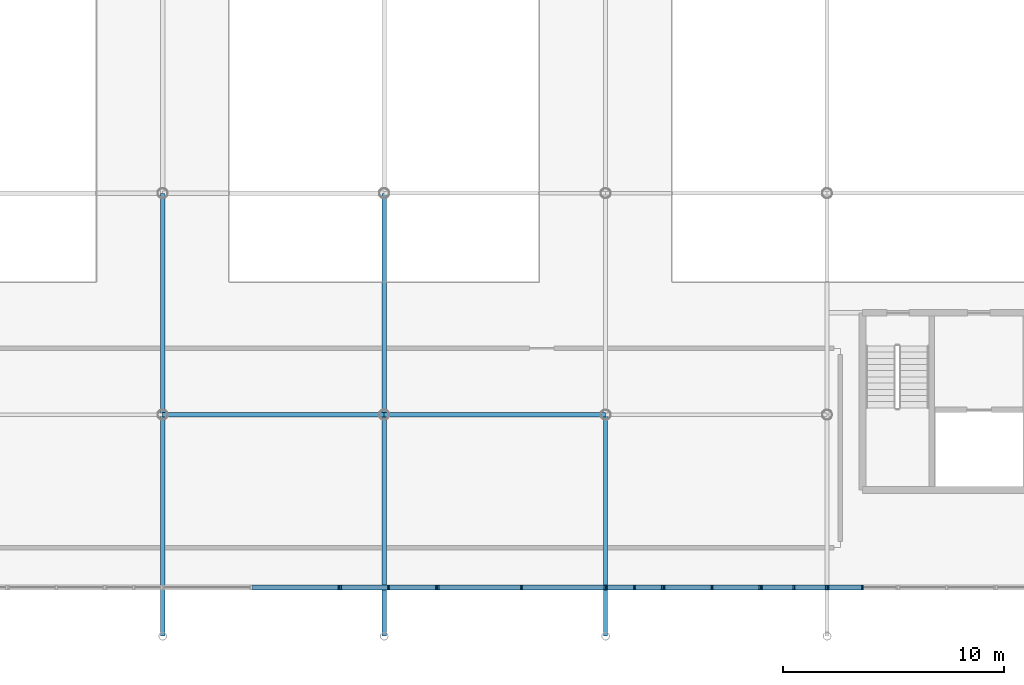
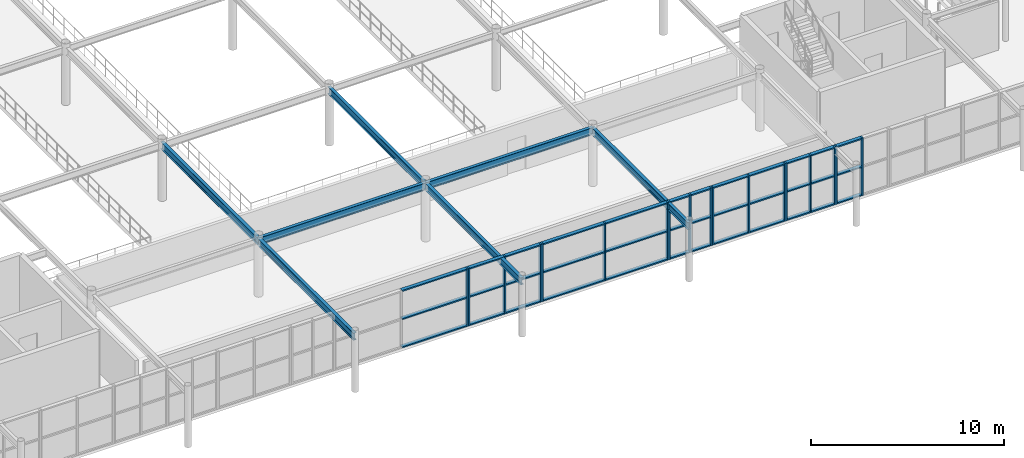
# One storey, part 45 of 98: 54 members, 7 beams, 7 elements without a shape of their own.
"""IFC4 building model written with IfcOpenShell, lengths in metres."""

from ifc_helpers import new_model, si_unit, derived_unit, direction, frame, origin, origin_2d_with_axis, place, context, subcontext, project, spatial, rectangle, i_section, extrude, material, material_profile, profile_set, type_object, element, aggregate, save


model = new_model("IFC4")

# Units and contexts
model_context = context("Model", 3, precision=1e-05, world=origin(), true_north=direction((0.0, 1.0)))
body_context = subcontext(model_context, "Body", "Model", "MODEL_VIEW")
ifc_project = project(units=[si_unit("LENGTHUNIT", "METRE"), si_unit("AREAUNIT", "SQUARE_METRE"), si_unit("VOLUMEUNIT", "CUBIC_METRE"), si_unit("PLANEANGLEUNIT", "RADIAN"), si_unit("MASSUNIT", "GRAM", prefix="KILO"), derived_unit("THERMALTRANSMITTANCEUNIT", [(si_unit("POWERUNIT", "WATT"), 1), (si_unit("LENGTHUNIT", "METRE"), -2), (si_unit("THERMODYNAMICTEMPERATUREUNIT", "KELVIN"), -1)])], contexts=[model_context])

# Site, building, storey
site_placement = place(None, origin())
site = spatial("IfcSite", under=ifc_project, at=site_placement, CompositionType="ELEMENT")
building_placement = place(site_placement, origin())
building = spatial("IfcBuilding", under=site, at=building_placement, Name="Cinnabar Yard Market Hall", CompositionType="ELEMENT")
storey_placement = place(building_placement, frame((0.0, 0.0, 4.5)))
storey = spatial("IfcBuildingStorey", under=building, at=storey_placement, Name="L01", CompositionType="ELEMENT", Elevation=4.5)

# Beams
ifc_material_1 = material(Name="Steel Grade 300 (300 MPa)", Category="steel")
ifc_material_profile_1 = material_profile(ifc_material_1, i_section(OverallWidth=0.19091796875, OverallDepth=0.46044921875, WebThickness=0.010009765625, FlangeThickness=0.01611328125, FilletRadius=0.011474609375, at=origin_2d_with_axis()), Name="460UB82.1")
ifc_profile_set_1 = profile_set([ifc_material_profile_1], Name="Steel Grade 300 (300 MPa)")
beam_type_1 = type_object("IfcBeamType", Name="BM-B04", PredefinedType="BEAM", material=ifc_profile_set_1)
beam_1_placement = place(storey_placement, frame((116.0, 24.0, 3.419921875), z_axis=(1.0, 0.0, 0.0), x_axis=(0.0, 1.0, 0.0)))
element("IfcBeam", 1, at=beam_1_placement, inside=storey, type_object=beam_type_1, Name="L01 Gallery Girder X 00269", PredefinedType="BEAM", context=body_context, shape_type="SweptSolid", body=[
    extrude(i_section(OverallWidth=0.19091796875, OverallDepth=0.46044921875, WebThickness=0.010009765625, FlangeThickness=0.01611328125, FilletRadius=0.011474609375, at=origin_2d_with_axis()), origin(), (0.0, 0.0, 1.0), 10.0),
])
ifc_material_profile_2 = material_profile(ifc_material_1, i_section(OverallWidth=0.18994140625, OverallDepth=0.453857421875, WebThickness=0.008544921875, FlangeThickness=0.0126953125, FilletRadius=0.011474609375, at=origin_2d_with_axis()), Name="460UB67.1")
ifc_profile_set_2 = profile_set([ifc_material_profile_2], Name="Steel Grade 300 (300 MPa)")
beam_type_2 = type_object("IfcBeamType", Name="BM-B05", PredefinedType="BEAM", material=ifc_profile_set_2)
for number, where, z_axis, x_axis, name in (
    (2, (106.0, 24.0, 3.423095703125), (0.0, 1.0, 0.0), (-1.0, 0.0, 0.0), "L01 Gallery Girder Y 00326"),
    (3, (116.0, 24.0, 3.423095703125), (0.0, 1.0, 0.0), (-1.0, 0.0, 0.0), "L01 Gallery Girder Y 00330"),
):
    element("IfcBeam", number, at=place(storey_placement, frame(where, z_axis=z_axis, x_axis=x_axis)), inside=storey, type_object=beam_type_2, Name=name, PredefinedType="BEAM", context=body_context, shape_type="SweptSolid", body=[
        extrude(i_section(OverallWidth=0.18994140625, OverallDepth=0.453857421875, WebThickness=0.008544921875, FlangeThickness=0.0126953125, FilletRadius=0.011474609375, at=origin_2d_with_axis()), origin(), (0.0, 0.0, 1.0), 10.0),
    ])
ifc_material_profile_3 = material_profile(ifc_material_1, i_section(OverallWidth=0.18994140625, OverallDepth=0.453857421875, WebThickness=0.008544921875, FlangeThickness=0.0126953125, FilletRadius=0.011474609375, at=origin_2d_with_axis()), Name="460UB67.1")
ifc_profile_set_3 = profile_set([ifc_material_profile_3], Name="Steel Grade 300 (300 MPa)")
beam_type_3 = type_object("IfcBeamType", Name="BM-B05E", PredefinedType="BEAM", material=ifc_profile_set_3)
for number, where, z_axis, x_axis, name in (
    (4, (106.0, 24.0, 3.423095703125), (0.0, -1.0, 0.0), (1.0, 0.0, 0.0), "L01 Gallery South Tie 00291"),
    (5, (116.0, 24.0, 3.423095703125), (0.0, -1.0, 0.0), (1.0, 0.0, 0.0), "L01 Gallery South Tie 00293"),
    (6, (126.0, 24.0, 3.423095703125), (0.0, -1.0, 0.0), (1.0, 0.0, 0.0), "L01 Gallery South Tie 00295"),
):
    element("IfcBeam", number, at=place(storey_placement, frame(where, z_axis=z_axis, x_axis=x_axis)), inside=storey, type_object=beam_type_3, Name=name, PredefinedType="BEAM", context=body_context, shape_type="SweptSolid", body=[
        extrude(i_section(OverallWidth=0.18994140625, OverallDepth=0.453857421875, WebThickness=0.008544921875, FlangeThickness=0.0126953125, FilletRadius=0.011474609375, at=origin_2d_with_axis()), origin(), (0.0, 0.0, 1.0), 10.0),
    ])
ifc_material_profile_4 = material_profile(ifc_material_1, i_section(OverallWidth=0.18994140625, OverallDepth=0.453857421875, WebThickness=0.008544921875, FlangeThickness=0.0126953125, FilletRadius=0.011474609375, at=origin_2d_with_axis()), Name="460UB67.1")
ifc_profile_set_4 = profile_set([ifc_material_profile_4], Name="Steel Grade 300 (300 MPa)")
beam_type_4 = type_object("IfcBeamType", Name="BM-B14", PredefinedType="BEAM", material=ifc_profile_set_4)
beam_2_placement = place(storey_placement, frame((106.0, 24.0, 3.423095703125), z_axis=(1.0, 0.0, 0.0), x_axis=(0.0, 1.0, 0.0)))
element("IfcBeam", 7, at=beam_2_placement, inside=storey, type_object=beam_type_4, Name="L01 Gallery Girder X 00264", PredefinedType="BEAM", context=body_context, shape_type="SweptSolid", body=[
    extrude(i_section(OverallWidth=0.18994140625, OverallDepth=0.453857421875, WebThickness=0.008544921875, FlangeThickness=0.0126953125, FilletRadius=0.011474609375, at=origin_2d_with_axis()), origin(), (0.0, 0.0, 1.0), 10.0),
])

# Curtain wall, member
ifc_material_2 = material(Name="Anodised bronze aluminium and low-E glass", Category="aluminium")
curtain_wall_type_1 = type_object("IfcCurtainWallType", Name="CW-CWH080x36", PredefinedType="NOTDEFINED", material=ifc_material_2)
curtain_wall_1_placement = place(storey_placement, origin())
curtain_wall_1 = element("IfcCurtainWall", 8, at=curtain_wall_1_placement, inside=storey, type_object=curtain_wall_type_1, Name="Market Hall South Gallery Glazing B3", PredefinedType="NOTDEFINED")
ifc_material_3 = material(Name="Anodised bronze aluminium", Category="aluminium")
ifc_material_profile_5 = material_profile(ifc_material_3, rectangle(XDim=0.219970703125, YDim=0.080078125, at=origin_2d_with_axis()), Name="MUL-CWH")
ifc_profile_set_5 = profile_set([ifc_material_profile_5], Name="Anodised bronze aluminium")
member_type_1 = type_object("IfcMemberType", Name="CWM-CWH", PredefinedType="MULLION", material=ifc_profile_set_5)
member_1_placement = place(storey_placement, frame((113.9599609375, 16.199951171875, 0.0), z_axis=(0.0, 0.0, 1.0), x_axis=(0.0, 1.0, 0.0)))
member_1 = element("IfcMember", 9, at=member_1_placement, type_object=member_type_1, Name="CWH080x36 mullion 3", PredefinedType="MULLION", context=body_context, shape_type="SweptSolid", body=[
    extrude(rectangle(XDim=0.219970703125, YDim=0.080078125, at=origin_2d_with_axis()), origin(), (0.0, 0.0, 1.0), 3.64990234375),
])

# Curtain wall, members
curtain_wall_type_2 = type_object("IfcCurtainWallType", Name="CW-CWH044x36", PredefinedType="NOTDEFINED", material=ifc_material_2)
curtain_wall_2_placement = place(storey_placement, origin())
curtain_wall_2 = element("IfcCurtainWall", 10, at=curtain_wall_2_placement, inside=storey, type_object=curtain_wall_type_2, Name="Market Hall South Gallery Glazing PT1", PredefinedType="NOTDEFINED")
member_2_placement = place(storey_placement, frame((114.0400390625, 16.199951171875, 0.0), z_axis=(0.0, 0.0, 1.0), x_axis=(0.0, 1.0, 0.0)))
member_2 = element("IfcMember", 11, at=member_2_placement, type_object=member_type_1, Name="CWH044x36 mullion 1", PredefinedType="MULLION", context=body_context, shape_type="SweptSolid", body=[
    extrude(rectangle(XDim=0.219970703125, YDim=0.080078125, at=origin_2d_with_axis()), origin(), (0.0, 0.0, 1.0), 3.64990234375),
])
member_3_placement = place(storey_placement, frame((116.199951171875, 16.199951171875, 0.0), z_axis=(0.0, 0.0, 1.0), x_axis=(0.0, 1.0, 0.0)))
member_3 = element("IfcMember", 12, at=member_3_placement, type_object=member_type_1, Name="CWH044x36 mullion 2", PredefinedType="MULLION", context=body_context, shape_type="SweptSolid", body=[
    extrude(rectangle(XDim=0.219970703125, YDim=0.080078125, at=origin_2d_with_axis()), origin(), (0.0, 0.0, 1.0), 3.64990234375),
])
member_4_placement = place(storey_placement, frame((118.360107421875, 16.199951171875, 0.0), z_axis=(0.0, 0.0, 1.0), x_axis=(0.0, 1.0, 0.0)))
member_4 = element("IfcMember", 13, at=member_4_placement, type_object=member_type_1, Name="CWH044x36 mullion 3", PredefinedType="MULLION", context=body_context, shape_type="SweptSolid", body=[
    extrude(rectangle(XDim=0.219970703125, YDim=0.080078125, at=origin_2d_with_axis()), origin(), (0.0, 0.0, 1.0), 3.64990234375),
])

curtain_wall_type_3 = type_object("IfcCurtainWallType", Name="CW-CWH076x36", PredefinedType="NOTDEFINED", material=ifc_material_2)
curtain_wall_3_placement = place(storey_placement, origin())
curtain_wall_3 = element("IfcCurtainWall", 14, at=curtain_wall_3_placement, inside=storey, type_object=curtain_wall_type_3, Name="Market Hall South Gallery Glazing B4", PredefinedType="NOTDEFINED")
member_5_placement = place(storey_placement, frame((118.43994140625, 16.199951171875, 0.0), z_axis=(0.0, 0.0, 1.0), x_axis=(0.0, 1.0, 0.0)))
member_5 = element("IfcMember", 15, at=member_5_placement, type_object=member_type_1, Name="CWH076x36 mullion 1", PredefinedType="MULLION", context=body_context, shape_type="SweptSolid", body=[
    extrude(rectangle(XDim=0.219970703125, YDim=0.080078125, at=origin_2d_with_axis()), origin(), (0.0, 0.0, 1.0), 3.64990234375),
])
member_6_placement = place(storey_placement, frame((122.199951171875, 16.199951171875, 0.0), z_axis=(0.0, 0.0, 1.0), x_axis=(0.0, 1.0, 0.0)))
member_6 = element("IfcMember", 16, at=member_6_placement, type_object=member_type_1, Name="CWH076x36 mullion 2", PredefinedType="MULLION", context=body_context, shape_type="SweptSolid", body=[
    extrude(rectangle(XDim=0.219970703125, YDim=0.080078125, at=origin_2d_with_axis()), origin(), (0.0, 0.0, 1.0), 3.64990234375),
])
member_7_placement = place(storey_placement, frame((125.9599609375, 16.199951171875, 0.0), z_axis=(0.0, 0.0, 1.0), x_axis=(0.0, 1.0, 0.0)))
member_7 = element("IfcMember", 17, at=member_7_placement, type_object=member_type_1, Name="CWH076x36 mullion 3", PredefinedType="MULLION", context=body_context, shape_type="SweptSolid", body=[
    extrude(rectangle(XDim=0.219970703125, YDim=0.080078125, at=origin_2d_with_axis()), origin(), (0.0, 0.0, 1.0), 3.64990234375),
])

curtain_wall_type_4 = type_object("IfcCurtainWallType", Name="CW-CWH026x36", PredefinedType="NOTDEFINED", material=ifc_material_2)
curtain_wall_4_placement = place(storey_placement, origin())
curtain_wall_4 = element("IfcCurtainWall", 18, at=curtain_wall_4_placement, inside=storey, type_object=curtain_wall_type_4, Name="Market Hall South Gallery Glazing B5A", PredefinedType="NOTDEFINED")
member_8_placement = place(storey_placement, frame((126.0400390625, 16.199951171875, 0.0), z_axis=(0.0, 0.0, 1.0), x_axis=(0.0, 1.0, 0.0)))
member_8 = element("IfcMember", 19, at=member_8_placement, type_object=member_type_1, Name="CWH026x36 mullion 1", PredefinedType="MULLION", context=body_context, shape_type="SweptSolid", body=[
    extrude(rectangle(XDim=0.219970703125, YDim=0.080078125, at=origin_2d_with_axis()), origin(), (0.0, 0.0, 1.0), 3.64990234375),
])
member_9_placement = place(storey_placement, frame((127.300048828125, 16.199951171875, 0.0), z_axis=(0.0, 0.0, 1.0), x_axis=(0.0, 1.0, 0.0)))
member_9 = element("IfcMember", 20, at=member_9_placement, type_object=member_type_1, Name="CWH026x36 mullion 2", PredefinedType="MULLION", context=body_context, shape_type="SweptSolid", body=[
    extrude(rectangle(XDim=0.219970703125, YDim=0.080078125, at=origin_2d_with_axis()), origin(), (0.0, 0.0, 1.0), 3.64990234375),
])
member_10_placement = place(storey_placement, frame((128.56005859375, 16.199951171875, 0.0), z_axis=(0.0, 0.0, 1.0), x_axis=(0.0, 1.0, 0.0)))
member_10 = element("IfcMember", 21, at=member_10_placement, type_object=member_type_1, Name="CWH026x36 mullion 3", PredefinedType="MULLION", context=body_context, shape_type="SweptSolid", body=[
    extrude(rectangle(XDim=0.219970703125, YDim=0.080078125, at=origin_2d_with_axis()), origin(), (0.0, 0.0, 1.0), 3.64990234375),
])

curtain_wall_5_placement = place(storey_placement, origin())
curtain_wall_5 = element("IfcCurtainWall", 22, at=curtain_wall_5_placement, inside=storey, type_object=curtain_wall_type_2, Name="Market Hall South Gallery Glazing PTB5", PredefinedType="NOTDEFINED")
member_11_placement = place(storey_placement, frame((128.639892578125, 16.199951171875, 0.0), z_axis=(0.0, 0.0, 1.0), x_axis=(0.0, 1.0, 0.0)))
member_11 = element("IfcMember", 23, at=member_11_placement, type_object=member_type_1, Name="CWH044x36 mullion 1", PredefinedType="MULLION", context=body_context, shape_type="SweptSolid", body=[
    extrude(rectangle(XDim=0.219970703125, YDim=0.080078125, at=origin_2d_with_axis()), origin(), (0.0, 0.0, 1.0), 3.64990234375),
])
member_12_placement = place(storey_placement, frame((130.800048828125, 16.199951171875, 0.0), z_axis=(0.0, 0.0, 1.0), x_axis=(0.0, 1.0, 0.0)))
member_12 = element("IfcMember", 24, at=member_12_placement, type_object=member_type_1, Name="CWH044x36 mullion 2", PredefinedType="MULLION", context=body_context, shape_type="SweptSolid", body=[
    extrude(rectangle(XDim=0.219970703125, YDim=0.080078125, at=origin_2d_with_axis()), origin(), (0.0, 0.0, 1.0), 3.64990234375),
])
member_13_placement = place(storey_placement, frame((132.9599609375, 16.199951171875, 0.0), z_axis=(0.0, 0.0, 1.0), x_axis=(0.0, 1.0, 0.0)))
member_13 = element("IfcMember", 25, at=member_13_placement, type_object=member_type_1, Name="CWH044x36 mullion 3", PredefinedType="MULLION", context=body_context, shape_type="SweptSolid", body=[
    extrude(rectangle(XDim=0.219970703125, YDim=0.080078125, at=origin_2d_with_axis()), origin(), (0.0, 0.0, 1.0), 3.64990234375),
])

curtain_wall_type_5 = type_object("IfcCurtainWallType", Name="CW-CWH030x36", PredefinedType="NOTDEFINED", material=ifc_material_2)
curtain_wall_6_placement = place(storey_placement, origin())
curtain_wall_6 = element("IfcCurtainWall", 26, at=curtain_wall_6_placement, inside=storey, type_object=curtain_wall_type_5, Name="Market Hall South Gallery Glazing B5B", PredefinedType="NOTDEFINED")
member_14_placement = place(storey_placement, frame((133.0400390625, 16.199951171875, 0.0), z_axis=(0.0, 0.0, 1.0), x_axis=(0.0, 1.0, 0.0)))
member_14 = element("IfcMember", 27, at=member_14_placement, type_object=member_type_1, Name="CWH030x36 mullion 1", PredefinedType="MULLION", context=body_context, shape_type="SweptSolid", body=[
    extrude(rectangle(XDim=0.219970703125, YDim=0.080078125, at=origin_2d_with_axis()), origin(), (0.0, 0.0, 1.0), 3.64990234375),
])
member_15_placement = place(storey_placement, frame((134.5, 16.199951171875, 0.0), z_axis=(0.0, 0.0, 1.0), x_axis=(0.0, 1.0, 0.0)))
member_15 = element("IfcMember", 28, at=member_15_placement, type_object=member_type_1, Name="CWH030x36 mullion 2", PredefinedType="MULLION", context=body_context, shape_type="SweptSolid", body=[
    extrude(rectangle(XDim=0.219970703125, YDim=0.080078125, at=origin_2d_with_axis()), origin(), (0.0, 0.0, 1.0), 3.64990234375),
])
member_16_placement = place(storey_placement, frame((135.9599609375, 16.199951171875, 0.0), z_axis=(0.0, 0.0, 1.0), x_axis=(0.0, 1.0, 0.0)))
member_16 = element("IfcMember", 29, at=member_16_placement, type_object=member_type_1, Name="CWH030x36 mullion 3", PredefinedType="MULLION", context=body_context, shape_type="SweptSolid", body=[
    extrude(rectangle(XDim=0.219970703125, YDim=0.080078125, at=origin_2d_with_axis()), origin(), (0.0, 0.0, 1.0), 3.64990234375),
])

curtain_wall_type_6 = type_object("IfcCurtainWallType", Name="CW-CWH032x36", PredefinedType="NOTDEFINED", material=ifc_material_2)
curtain_wall_7_placement = place(storey_placement, origin())
curtain_wall_7 = element("IfcCurtainWall", 30, at=curtain_wall_7_placement, inside=storey, type_object=curtain_wall_type_6, Name="Market Hall South Gallery Glazing B6A", PredefinedType="NOTDEFINED")
member_17_placement = place(storey_placement, frame((136.0400390625, 16.199951171875, 0.0), z_axis=(0.0, 0.0, 1.0), x_axis=(0.0, 1.0, 0.0)))
member_17 = element("IfcMember", 31, at=member_17_placement, type_object=member_type_1, Name="CWH032x36 mullion 1", PredefinedType="MULLION", context=body_context, shape_type="SweptSolid", body=[
    extrude(rectangle(XDim=0.219970703125, YDim=0.080078125, at=origin_2d_with_axis()), origin(), (0.0, 0.0, 1.0), 3.64990234375),
])
member_18_placement = place(storey_placement, frame((137.60009765625, 16.199951171875, 0.0), z_axis=(0.0, 0.0, 1.0), x_axis=(0.0, 1.0, 0.0)))
member_18 = element("IfcMember", 32, at=member_18_placement, type_object=member_type_1, Name="CWH032x36 mullion 2", PredefinedType="MULLION", context=body_context, shape_type="SweptSolid", body=[
    extrude(rectangle(XDim=0.219970703125, YDim=0.080078125, at=origin_2d_with_axis()), origin(), (0.0, 0.0, 1.0), 3.64990234375),
])

# Member
ifc_material_profile_6 = material_profile(ifc_material_3, rectangle(XDim=0.219970703125, YDim=0.080078125, at=origin_2d_with_axis()), Name="TRN-CWH")
ifc_profile_set_6 = profile_set([ifc_material_profile_6], Name="Anodised bronze aluminium")
member_type_2 = type_object("IfcMemberType", Name="CWT-CWH", PredefinedType="USERDEFINED", material=ifc_profile_set_6)
member_19_placement = place(storey_placement, frame((110.0400390625, 16.199951171875, 0.0400390625), z_axis=(1.0, 0.0, 0.0), x_axis=(0.0, 1.0, 0.0)))
member_19 = element("IfcMember", 33, at=member_19_placement, type_object=member_type_2, Name="CWH080x36 transom 2.1", ObjectType="TRANSOM", PredefinedType="USERDEFINED", context=body_context, shape_type="SweptSolid", body=[
    extrude(rectangle(XDim=0.219970703125, YDim=0.080078125, at=origin_2d_with_axis()), origin(), (0.0, 0.0, 1.0), 3.8798828125),
])

member_20_placement = place(storey_placement, frame((110.0400390625, 16.199951171875, 1.824951171875), z_axis=(1.0, 0.0, 0.0), x_axis=(0.0, 1.0, 0.0)))
member_20 = element("IfcMember", 34, at=member_20_placement, type_object=member_type_2, Name="CWH080x36 transom 2.2", ObjectType="TRANSOM", PredefinedType="USERDEFINED", context=body_context, shape_type="SweptSolid", body=[
    extrude(rectangle(XDim=0.219970703125, YDim=0.080078125, at=origin_2d_with_axis()), origin(), (0.0, 0.0, 1.0), 3.8798828125),
])

member_21_placement = place(storey_placement, frame((110.0400390625, 16.199951171875, 3.610107421875), z_axis=(1.0, 0.0, 0.0), x_axis=(0.0, 1.0, 0.0)))
member_21 = element("IfcMember", 35, at=member_21_placement, type_object=member_type_2, Name="CWH080x36 transom 2.3", ObjectType="TRANSOM", PredefinedType="USERDEFINED", context=body_context, shape_type="SweptSolid", body=[
    extrude(rectangle(XDim=0.219970703125, YDim=0.080078125, at=origin_2d_with_axis()), origin(), (0.0, 0.0, 1.0), 3.8798828125),
])

aggregate(curtain_wall_1, [member_1, member_19, member_20, member_21])

member_22_placement = place(storey_placement, frame((114.080078125, 16.199951171875, 0.0400390625), z_axis=(1.0, 0.0, 0.0), x_axis=(0.0, 1.0, 0.0)))
member_22 = element("IfcMember", 36, at=member_22_placement, type_object=member_type_2, Name="CWH044x36 transom 1.1", ObjectType="TRANSOM", PredefinedType="USERDEFINED", context=body_context, shape_type="SweptSolid", body=[
    extrude(rectangle(XDim=0.219970703125, YDim=0.080078125, at=origin_2d_with_axis()), origin(), (0.0, 0.0, 1.0), 2.079833984375),
])

member_23_placement = place(storey_placement, frame((114.080078125, 16.199951171875, 1.824951171875), z_axis=(1.0, 0.0, 0.0), x_axis=(0.0, 1.0, 0.0)))
member_23 = element("IfcMember", 37, at=member_23_placement, type_object=member_type_2, Name="CWH044x36 transom 1.2", ObjectType="TRANSOM", PredefinedType="USERDEFINED", context=body_context, shape_type="SweptSolid", body=[
    extrude(rectangle(XDim=0.219970703125, YDim=0.080078125, at=origin_2d_with_axis()), origin(), (0.0, 0.0, 1.0), 2.079833984375),
])

member_24_placement = place(storey_placement, frame((114.080078125, 16.199951171875, 3.610107421875), z_axis=(1.0, 0.0, 0.0), x_axis=(0.0, 1.0, 0.0)))
member_24 = element("IfcMember", 38, at=member_24_placement, type_object=member_type_2, Name="CWH044x36 transom 1.3", ObjectType="TRANSOM", PredefinedType="USERDEFINED", context=body_context, shape_type="SweptSolid", body=[
    extrude(rectangle(XDim=0.219970703125, YDim=0.080078125, at=origin_2d_with_axis()), origin(), (0.0, 0.0, 1.0), 2.079833984375),
])

member_25_placement = place(storey_placement, frame((116.239990234375, 16.199951171875, 0.0400390625), z_axis=(1.0, 0.0, 0.0), x_axis=(0.0, 1.0, 0.0)))
member_25 = element("IfcMember", 39, at=member_25_placement, type_object=member_type_2, Name="CWH044x36 transom 2.1", ObjectType="TRANSOM", PredefinedType="USERDEFINED", context=body_context, shape_type="SweptSolid", body=[
    extrude(rectangle(XDim=0.219970703125, YDim=0.080078125, at=origin_2d_with_axis()), origin(), (0.0, 0.0, 1.0), 2.080078125),
])

member_26_placement = place(storey_placement, frame((116.239990234375, 16.199951171875, 1.824951171875), z_axis=(1.0, 0.0, 0.0), x_axis=(0.0, 1.0, 0.0)))
member_26 = element("IfcMember", 40, at=member_26_placement, type_object=member_type_2, Name="CWH044x36 transom 2.2", ObjectType="TRANSOM", PredefinedType="USERDEFINED", context=body_context, shape_type="SweptSolid", body=[
    extrude(rectangle(XDim=0.219970703125, YDim=0.080078125, at=origin_2d_with_axis()), origin(), (0.0, 0.0, 1.0), 2.080078125),
])

member_27_placement = place(storey_placement, frame((116.239990234375, 16.199951171875, 3.610107421875), z_axis=(1.0, 0.0, 0.0), x_axis=(0.0, 1.0, 0.0)))
member_27 = element("IfcMember", 41, at=member_27_placement, type_object=member_type_2, Name="CWH044x36 transom 2.3", ObjectType="TRANSOM", PredefinedType="USERDEFINED", context=body_context, shape_type="SweptSolid", body=[
    extrude(rectangle(XDim=0.219970703125, YDim=0.080078125, at=origin_2d_with_axis()), origin(), (0.0, 0.0, 1.0), 2.080078125),
])

aggregate(curtain_wall_2, [member_2, member_3, member_4, member_22, member_23, member_24, member_25, member_26, member_27])

member_28_placement = place(storey_placement, frame((118.47998046875, 16.199951171875, 0.0400390625), z_axis=(1.0, 0.0, 0.0), x_axis=(0.0, 1.0, 0.0)))
member_28 = element("IfcMember", 42, at=member_28_placement, type_object=member_type_2, Name="CWH076x36 transom 1.1", ObjectType="TRANSOM", PredefinedType="USERDEFINED", context=body_context, shape_type="SweptSolid", body=[
    extrude(rectangle(XDim=0.219970703125, YDim=0.080078125, at=origin_2d_with_axis()), origin(), (0.0, 0.0, 1.0), 3.679931640625),
])

member_29_placement = place(storey_placement, frame((118.47998046875, 16.199951171875, 1.824951171875), z_axis=(1.0, 0.0, 0.0), x_axis=(0.0, 1.0, 0.0)))
member_29 = element("IfcMember", 43, at=member_29_placement, type_object=member_type_2, Name="CWH076x36 transom 1.2", ObjectType="TRANSOM", PredefinedType="USERDEFINED", context=body_context, shape_type="SweptSolid", body=[
    extrude(rectangle(XDim=0.219970703125, YDim=0.080078125, at=origin_2d_with_axis()), origin(), (0.0, 0.0, 1.0), 3.679931640625),
])

member_30_placement = place(storey_placement, frame((118.47998046875, 16.199951171875, 3.610107421875), z_axis=(1.0, 0.0, 0.0), x_axis=(0.0, 1.0, 0.0)))
member_30 = element("IfcMember", 44, at=member_30_placement, type_object=member_type_2, Name="CWH076x36 transom 1.3", ObjectType="TRANSOM", PredefinedType="USERDEFINED", context=body_context, shape_type="SweptSolid", body=[
    extrude(rectangle(XDim=0.219970703125, YDim=0.080078125, at=origin_2d_with_axis()), origin(), (0.0, 0.0, 1.0), 3.679931640625),
])

member_31_placement = place(storey_placement, frame((122.239990234375, 16.199951171875, 0.0400390625), z_axis=(1.0, 0.0, 0.0), x_axis=(0.0, 1.0, 0.0)))
member_31 = element("IfcMember", 45, at=member_31_placement, type_object=member_type_2, Name="CWH076x36 transom 2.1", ObjectType="TRANSOM", PredefinedType="USERDEFINED", context=body_context, shape_type="SweptSolid", body=[
    extrude(rectangle(XDim=0.219970703125, YDim=0.080078125, at=origin_2d_with_axis()), origin(), (0.0, 0.0, 1.0), 3.679931640625),
])

member_32_placement = place(storey_placement, frame((122.239990234375, 16.199951171875, 1.824951171875), z_axis=(1.0, 0.0, 0.0), x_axis=(0.0, 1.0, 0.0)))
member_32 = element("IfcMember", 46, at=member_32_placement, type_object=member_type_2, Name="CWH076x36 transom 2.2", ObjectType="TRANSOM", PredefinedType="USERDEFINED", context=body_context, shape_type="SweptSolid", body=[
    extrude(rectangle(XDim=0.219970703125, YDim=0.080078125, at=origin_2d_with_axis()), origin(), (0.0, 0.0, 1.0), 3.679931640625),
])

member_33_placement = place(storey_placement, frame((122.239990234375, 16.199951171875, 3.610107421875), z_axis=(1.0, 0.0, 0.0), x_axis=(0.0, 1.0, 0.0)))
member_33 = element("IfcMember", 47, at=member_33_placement, type_object=member_type_2, Name="CWH076x36 transom 2.3", ObjectType="TRANSOM", PredefinedType="USERDEFINED", context=body_context, shape_type="SweptSolid", body=[
    extrude(rectangle(XDim=0.219970703125, YDim=0.080078125, at=origin_2d_with_axis()), origin(), (0.0, 0.0, 1.0), 3.679931640625),
])

aggregate(curtain_wall_3, [member_5, member_6, member_7, member_28, member_29, member_30, member_31, member_32, member_33])

member_34_placement = place(storey_placement, frame((126.080078125, 16.199951171875, 0.0400390625), z_axis=(1.0, 0.0, 0.0), x_axis=(0.0, 1.0, 0.0)))
member_34 = element("IfcMember", 48, at=member_34_placement, type_object=member_type_2, Name="CWH026x36 transom 1.1", ObjectType="TRANSOM", PredefinedType="USERDEFINED", context=body_context, shape_type="SweptSolid", body=[
    extrude(rectangle(XDim=0.219970703125, YDim=0.080078125, at=origin_2d_with_axis()), origin(), (0.0, 0.0, 1.0), 1.179931640625),
])

member_35_placement = place(storey_placement, frame((126.080078125, 16.199951171875, 1.824951171875), z_axis=(1.0, 0.0, 0.0), x_axis=(0.0, 1.0, 0.0)))
member_35 = element("IfcMember", 49, at=member_35_placement, type_object=member_type_2, Name="CWH026x36 transom 1.2", ObjectType="TRANSOM", PredefinedType="USERDEFINED", context=body_context, shape_type="SweptSolid", body=[
    extrude(rectangle(XDim=0.219970703125, YDim=0.080078125, at=origin_2d_with_axis()), origin(), (0.0, 0.0, 1.0), 1.179931640625),
])

member_36_placement = place(storey_placement, frame((126.080078125, 16.199951171875, 3.610107421875), z_axis=(1.0, 0.0, 0.0), x_axis=(0.0, 1.0, 0.0)))
member_36 = element("IfcMember", 50, at=member_36_placement, type_object=member_type_2, Name="CWH026x36 transom 1.3", ObjectType="TRANSOM", PredefinedType="USERDEFINED", context=body_context, shape_type="SweptSolid", body=[
    extrude(rectangle(XDim=0.219970703125, YDim=0.080078125, at=origin_2d_with_axis()), origin(), (0.0, 0.0, 1.0), 1.179931640625),
])

member_37_placement = place(storey_placement, frame((127.340087890625, 16.199951171875, 0.0400390625), z_axis=(1.0, 0.0, 0.0), x_axis=(0.0, 1.0, 0.0)))
member_37 = element("IfcMember", 51, at=member_37_placement, type_object=member_type_2, Name="CWH026x36 transom 2.1", ObjectType="TRANSOM", PredefinedType="USERDEFINED", context=body_context, shape_type="SweptSolid", body=[
    extrude(rectangle(XDim=0.219970703125, YDim=0.080078125, at=origin_2d_with_axis()), origin(), (0.0, 0.0, 1.0), 1.179931640625),
])

member_38_placement = place(storey_placement, frame((127.340087890625, 16.199951171875, 1.824951171875), z_axis=(1.0, 0.0, 0.0), x_axis=(0.0, 1.0, 0.0)))
member_38 = element("IfcMember", 52, at=member_38_placement, type_object=member_type_2, Name="CWH026x36 transom 2.2", ObjectType="TRANSOM", PredefinedType="USERDEFINED", context=body_context, shape_type="SweptSolid", body=[
    extrude(rectangle(XDim=0.219970703125, YDim=0.080078125, at=origin_2d_with_axis()), origin(), (0.0, 0.0, 1.0), 1.179931640625),
])

member_39_placement = place(storey_placement, frame((127.340087890625, 16.199951171875, 3.610107421875), z_axis=(1.0, 0.0, 0.0), x_axis=(0.0, 1.0, 0.0)))
member_39 = element("IfcMember", 53, at=member_39_placement, type_object=member_type_2, Name="CWH026x36 transom 2.3", ObjectType="TRANSOM", PredefinedType="USERDEFINED", context=body_context, shape_type="SweptSolid", body=[
    extrude(rectangle(XDim=0.219970703125, YDim=0.080078125, at=origin_2d_with_axis()), origin(), (0.0, 0.0, 1.0), 1.179931640625),
])

aggregate(curtain_wall_4, [member_8, member_9, member_10, member_34, member_35, member_36, member_37, member_38, member_39])

member_40_placement = place(storey_placement, frame((128.679931640625, 16.199951171875, 0.0400390625), z_axis=(1.0, 0.0, 0.0), x_axis=(0.0, 1.0, 0.0)))
member_40 = element("IfcMember", 54, at=member_40_placement, type_object=member_type_2, Name="CWH044x36 transom 1.1", ObjectType="TRANSOM", PredefinedType="USERDEFINED", context=body_context, shape_type="SweptSolid", body=[
    extrude(rectangle(XDim=0.219970703125, YDim=0.080078125, at=origin_2d_with_axis()), origin(), (0.0, 0.0, 1.0), 2.080078125),
])

member_41_placement = place(storey_placement, frame((128.679931640625, 16.199951171875, 1.824951171875), z_axis=(1.0, 0.0, 0.0), x_axis=(0.0, 1.0, 0.0)))
member_41 = element("IfcMember", 55, at=member_41_placement, type_object=member_type_2, Name="CWH044x36 transom 1.2", ObjectType="TRANSOM", PredefinedType="USERDEFINED", context=body_context, shape_type="SweptSolid", body=[
    extrude(rectangle(XDim=0.219970703125, YDim=0.080078125, at=origin_2d_with_axis()), origin(), (0.0, 0.0, 1.0), 2.080078125),
])

member_42_placement = place(storey_placement, frame((128.679931640625, 16.199951171875, 3.610107421875), z_axis=(1.0, 0.0, 0.0), x_axis=(0.0, 1.0, 0.0)))
member_42 = element("IfcMember", 56, at=member_42_placement, type_object=member_type_2, Name="CWH044x36 transom 1.3", ObjectType="TRANSOM", PredefinedType="USERDEFINED", context=body_context, shape_type="SweptSolid", body=[
    extrude(rectangle(XDim=0.219970703125, YDim=0.080078125, at=origin_2d_with_axis()), origin(), (0.0, 0.0, 1.0), 2.080078125),
])

member_43_placement = place(storey_placement, frame((130.840087890625, 16.199951171875, 0.0400390625), z_axis=(1.0, 0.0, 0.0), x_axis=(0.0, 1.0, 0.0)))
member_43 = element("IfcMember", 57, at=member_43_placement, type_object=member_type_2, Name="CWH044x36 transom 2.1", ObjectType="TRANSOM", PredefinedType="USERDEFINED", context=body_context, shape_type="SweptSolid", body=[
    extrude(rectangle(XDim=0.219970703125, YDim=0.080078125, at=origin_2d_with_axis()), origin(), (0.0, 0.0, 1.0), 2.079833984375),
])

member_44_placement = place(storey_placement, frame((130.840087890625, 16.199951171875, 1.824951171875), z_axis=(1.0, 0.0, 0.0), x_axis=(0.0, 1.0, 0.0)))
member_44 = element("IfcMember", 58, at=member_44_placement, type_object=member_type_2, Name="CWH044x36 transom 2.2", ObjectType="TRANSOM", PredefinedType="USERDEFINED", context=body_context, shape_type="SweptSolid", body=[
    extrude(rectangle(XDim=0.219970703125, YDim=0.080078125, at=origin_2d_with_axis()), origin(), (0.0, 0.0, 1.0), 2.079833984375),
])

member_45_placement = place(storey_placement, frame((130.840087890625, 16.199951171875, 3.610107421875), z_axis=(1.0, 0.0, 0.0), x_axis=(0.0, 1.0, 0.0)))
member_45 = element("IfcMember", 59, at=member_45_placement, type_object=member_type_2, Name="CWH044x36 transom 2.3", ObjectType="TRANSOM", PredefinedType="USERDEFINED", context=body_context, shape_type="SweptSolid", body=[
    extrude(rectangle(XDim=0.219970703125, YDim=0.080078125, at=origin_2d_with_axis()), origin(), (0.0, 0.0, 1.0), 2.079833984375),
])

aggregate(curtain_wall_5, [member_11, member_12, member_13, member_40, member_41, member_42, member_43, member_44, member_45])

member_46_placement = place(storey_placement, frame((133.080078125, 16.199951171875, 0.0400390625), z_axis=(1.0, 0.0, 0.0), x_axis=(0.0, 1.0, 0.0)))
member_46 = element("IfcMember", 60, at=member_46_placement, type_object=member_type_2, Name="CWH030x36 transom 1.1", ObjectType="TRANSOM", PredefinedType="USERDEFINED", context=body_context, shape_type="SweptSolid", body=[
    extrude(rectangle(XDim=0.219970703125, YDim=0.080078125, at=origin_2d_with_axis()), origin(), (0.0, 0.0, 1.0), 1.3798828125),
])

member_47_placement = place(storey_placement, frame((133.080078125, 16.199951171875, 1.824951171875), z_axis=(1.0, 0.0, 0.0), x_axis=(0.0, 1.0, 0.0)))
member_47 = element("IfcMember", 61, at=member_47_placement, type_object=member_type_2, Name="CWH030x36 transom 1.2", ObjectType="TRANSOM", PredefinedType="USERDEFINED", context=body_context, shape_type="SweptSolid", body=[
    extrude(rectangle(XDim=0.219970703125, YDim=0.080078125, at=origin_2d_with_axis()), origin(), (0.0, 0.0, 1.0), 1.3798828125),
])

member_48_placement = place(storey_placement, frame((133.080078125, 16.199951171875, 3.610107421875), z_axis=(1.0, 0.0, 0.0), x_axis=(0.0, 1.0, 0.0)))
member_48 = element("IfcMember", 62, at=member_48_placement, type_object=member_type_2, Name="CWH030x36 transom 1.3", ObjectType="TRANSOM", PredefinedType="USERDEFINED", context=body_context, shape_type="SweptSolid", body=[
    extrude(rectangle(XDim=0.219970703125, YDim=0.080078125, at=origin_2d_with_axis()), origin(), (0.0, 0.0, 1.0), 1.3798828125),
])

member_49_placement = place(storey_placement, frame((134.5400390625, 16.199951171875, 0.0400390625), z_axis=(1.0, 0.0, 0.0), x_axis=(0.0, 1.0, 0.0)))
member_49 = element("IfcMember", 63, at=member_49_placement, type_object=member_type_2, Name="CWH030x36 transom 2.1", ObjectType="TRANSOM", PredefinedType="USERDEFINED", context=body_context, shape_type="SweptSolid", body=[
    extrude(rectangle(XDim=0.219970703125, YDim=0.080078125, at=origin_2d_with_axis()), origin(), (0.0, 0.0, 1.0), 1.3798828125),
])

member_50_placement = place(storey_placement, frame((134.5400390625, 16.199951171875, 1.824951171875), z_axis=(1.0, 0.0, 0.0), x_axis=(0.0, 1.0, 0.0)))
member_50 = element("IfcMember", 64, at=member_50_placement, type_object=member_type_2, Name="CWH030x36 transom 2.2", ObjectType="TRANSOM", PredefinedType="USERDEFINED", context=body_context, shape_type="SweptSolid", body=[
    extrude(rectangle(XDim=0.219970703125, YDim=0.080078125, at=origin_2d_with_axis()), origin(), (0.0, 0.0, 1.0), 1.3798828125),
])

member_51_placement = place(storey_placement, frame((134.5400390625, 16.199951171875, 3.610107421875), z_axis=(1.0, 0.0, 0.0), x_axis=(0.0, 1.0, 0.0)))
member_51 = element("IfcMember", 65, at=member_51_placement, type_object=member_type_2, Name="CWH030x36 transom 2.3", ObjectType="TRANSOM", PredefinedType="USERDEFINED", context=body_context, shape_type="SweptSolid", body=[
    extrude(rectangle(XDim=0.219970703125, YDim=0.080078125, at=origin_2d_with_axis()), origin(), (0.0, 0.0, 1.0), 1.3798828125),
])

aggregate(curtain_wall_6, [member_14, member_15, member_16, member_46, member_47, member_48, member_49, member_50, member_51])

member_52_placement = place(storey_placement, frame((136.080078125, 16.199951171875, 0.0400390625), z_axis=(1.0, 0.0, 0.0), x_axis=(0.0, 1.0, 0.0)))
member_52 = element("IfcMember", 66, at=member_52_placement, type_object=member_type_2, Name="CWH032x36 transom 1.1", ObjectType="TRANSOM", PredefinedType="USERDEFINED", context=body_context, shape_type="SweptSolid", body=[
    extrude(rectangle(XDim=0.219970703125, YDim=0.080078125, at=origin_2d_with_axis()), origin(), (0.0, 0.0, 1.0), 1.47998046875),
])

member_53_placement = place(storey_placement, frame((136.080078125, 16.199951171875, 1.824951171875), z_axis=(1.0, 0.0, 0.0), x_axis=(0.0, 1.0, 0.0)))
member_53 = element("IfcMember", 67, at=member_53_placement, type_object=member_type_2, Name="CWH032x36 transom 1.2", ObjectType="TRANSOM", PredefinedType="USERDEFINED", context=body_context, shape_type="SweptSolid", body=[
    extrude(rectangle(XDim=0.219970703125, YDim=0.080078125, at=origin_2d_with_axis()), origin(), (0.0, 0.0, 1.0), 1.47998046875),
])

member_54_placement = place(storey_placement, frame((136.080078125, 16.199951171875, 3.610107421875), z_axis=(1.0, 0.0, 0.0), x_axis=(0.0, 1.0, 0.0)))
member_54 = element("IfcMember", 68, at=member_54_placement, type_object=member_type_2, Name="CWH032x36 transom 1.3", ObjectType="TRANSOM", PredefinedType="USERDEFINED", context=body_context, shape_type="SweptSolid", body=[
    extrude(rectangle(XDim=0.219970703125, YDim=0.080078125, at=origin_2d_with_axis()), origin(), (0.0, 0.0, 1.0), 1.47998046875),
])

aggregate(curtain_wall_7, [member_17, member_18, member_52, member_53, member_54])

save(model, "model.ifc")
